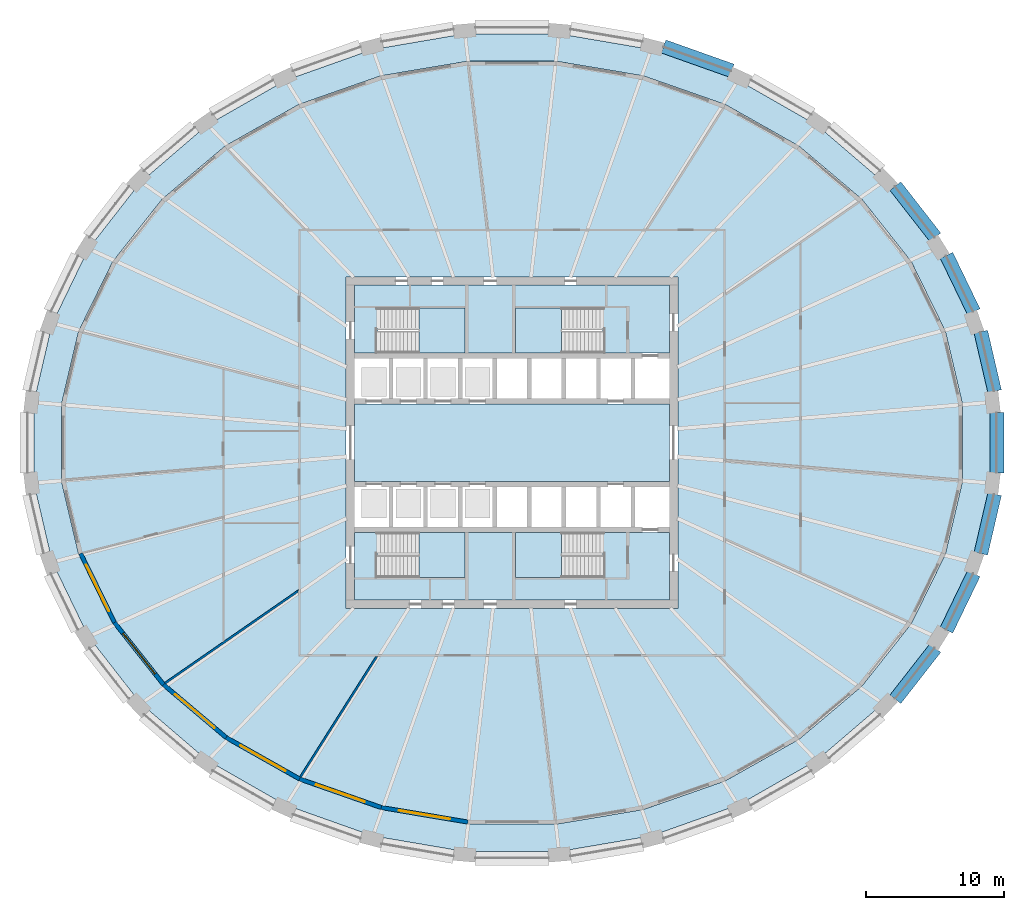
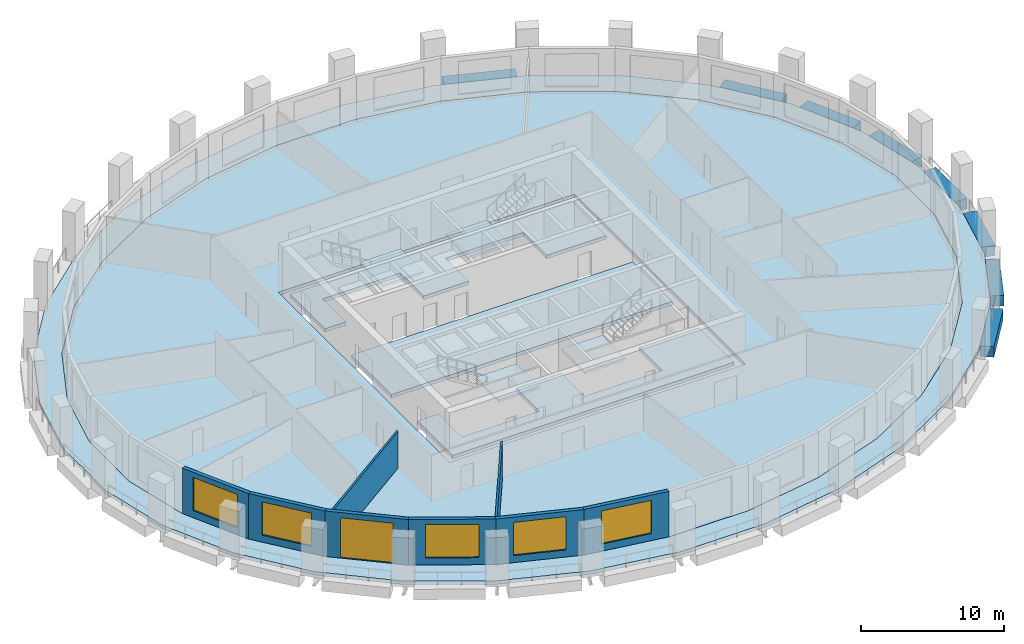
# One storey, part 2 of 10: 9 slabs, 8 beams, 8 walls, 5 windows, 1 door, 6 openings, 4 elements without a shape of their own.
"""IFC4 building model written with IfcOpenShell, lengths in metres."""

from ifc_helpers import new_model, si_unit, direction, frame, frame_2d, origin, origin_2d, place, context, subcontext, project, spatial, polyline, rectangle, outline, extrude, material, layer, layer_set, material_profile, profile_set, type_object, element, fill, aggregate, save


model = new_model("IFC4")

# Units and contexts
model_context = context("Model", 3, precision=1e-05, world=origin(), true_north=direction((0.0, 1.0)))
body_context = subcontext(model_context, "Body", "Model", "MODEL_VIEW")
ifc_project = project(units=[si_unit("LENGTHUNIT", "METRE"), si_unit("AREAUNIT", "SQUARE_METRE"), si_unit("VOLUMEUNIT", "CUBIC_METRE"), si_unit("PLANEANGLEUNIT", "RADIAN"), si_unit("MASSUNIT", "GRAM", prefix="KILO")], contexts=[model_context])

# Site, building, storey
site_placement = place(None, origin())
site = spatial("IfcSite", under=ifc_project, at=site_placement, CompositionType="ELEMENT")
building_placement = place(site_placement, origin())
building = spatial("IfcBuilding", under=site, at=building_placement, Name="Halqa Exchange Tower", CompositionType="ELEMENT")
storey_placement = place(building_placement, frame((0.0, 0.0, 112.89990234375)))
storey = spatial("IfcBuildingStorey", under=building, at=storey_placement, Name="L25", CompositionType="ELEMENT", Elevation=112.89990234375)

# Beams
ifc_material_1 = material(Name="Concrete C60/75", Category="concrete")
ifc_material_profile = material_profile(ifc_material_1, rectangle(XDim=1.0, YDim=0.89990234375, at=origin_2d()), Name="1000 x 900")
ifc_profile_set = profile_set([ifc_material_profile], Name="Concrete C60/75")
beam_type = type_object("IfcBeamType", Name="RC spandrel beam 1000 x 900 C60/75", PredefinedType="SPANDREL", material=ifc_profile_set)
beam_1_placement = place(storey_placement, frame((34.94384765625, 3.7216796875, -0.449951171875), z_axis=(-0.226062276551, 0.974112851327, 0.0), x_axis=(-0.974112851327, -0.226062276551, 0.0)))
element("IfcBeam", 1, at=beam_1_placement, inside=storey, type_object=beam_type, Name="Spandrel 1", PredefinedType="SPANDREL", context=body_context, shape_type="SweptSolid", body=[
    extrude(rectangle(XDim=1.0, YDim=0.89990234375, at=origin_2d()), origin(), (0.0, 0.0, 1.0), 4.4169921875),
])
beam_2_placement = place(storey_placement, frame((33.431640625, 9.480712890625, -0.449951171875), z_axis=(-0.435101676996, 0.900381325148, 0.0), x_axis=(-0.900381325148, -0.435101676996, 0.0)))
element("IfcBeam", 2, at=beam_2_placement, inside=storey, type_object=beam_type, Name="Spandrel 2", PredefinedType="SPANDREL", context=body_context, shape_type="SweptSolid", body=[
    extrude(rectangle(XDim=1.0, YDim=0.89990234375, at=origin_2d()), origin(), (0.0, 0.0, 1.0), 4.530517578125),
])
beam_3_placement = place(storey_placement, frame((30.64599609375, 14.870361328125, -0.449951171875), z_axis=(-0.614814102192, 0.788672060965, 0.0), x_axis=(-0.788672060965, -0.614814102192, 0.0)))
element("IfcBeam", 3, at=beam_3_placement, inside=storey, type_object=beam_type, Name="Spandrel 3", PredefinedType="SPANDREL", context=body_context, shape_type="SweptSolid", body=[
    extrude(rectangle(XDim=1.0, YDim=0.89990234375, at=origin_2d()), origin(), (0.0, 0.0, 1.0), 4.699951171875),
])
beam_4_placement = place(storey_placement, frame((15.905517578125, 26.935546875, -0.449951171875), z_axis=(-0.94236843099, 0.334576957177, 0.0), x_axis=(-0.334576957177, -0.94236843099, 0.0)))
element("IfcBeam", 4, at=beam_4_placement, inside=storey, type_object=beam_type, Name="Spandrel 6", PredefinedType="SPANDREL", context=body_context, shape_type="SweptSolid", body=[
    extrude(rectangle(XDim=1.0, YDim=0.89990234375, at=origin_2d()), origin(), (0.0, 0.0, 1.0), 5.23193359375),
])
beam_5_placement = place(storey_placement, frame((27.75634765625, -18.5771484375, -0.449951171875), z_axis=(0.614814102192, 0.788672060965, 0.0), x_axis=(-0.788672060965, 0.614814102192, 0.0)))
element("IfcBeam", 5, at=beam_5_placement, inside=storey, type_object=beam_type, Name="Spandrel 29", PredefinedType="SPANDREL", context=body_context, shape_type="SweptSolid", body=[
    extrude(rectangle(XDim=1.0, YDim=0.89990234375, at=origin_2d()), origin(), (0.0, 0.0, 1.0), 4.699951171875),
])
beam_6_placement = place(storey_placement, frame((31.46044921875, -13.559814453125, -0.449951171875), z_axis=(0.435101676996, 0.900381325148, 0.0), x_axis=(-0.900381325148, 0.435101676996, 0.0)))
element("IfcBeam", 6, at=beam_6_placement, inside=storey, type_object=beam_type, Name="Spandrel 30", PredefinedType="SPANDREL", context=body_context, shape_type="SweptSolid", body=[
    extrude(rectangle(XDim=1.0, YDim=0.89990234375, at=origin_2d()), origin(), (0.0, 0.0, 1.0), 4.530517578125),
])
beam_7_placement = place(storey_placement, frame((33.9453125, -8.0244140625, -0.449951171875), z_axis=(0.226062276551, 0.974112851327, 0.0), x_axis=(-0.974112851327, 0.226062276551, 0.0)))
element("IfcBeam", 7, at=beam_7_placement, inside=storey, type_object=beam_type, Name="Spandrel 31", PredefinedType="SPANDREL", context=body_context, shape_type="SweptSolid", body=[
    extrude(rectangle(XDim=1.0, YDim=0.89990234375, at=origin_2d()), origin(), (0.0, 0.0, 1.0), 4.4169921875),
])
beam_8_placement = place(storey_placement, frame((35.11962890625, -2.1875, -0.449951171875), z_axis=(0.0, 1.0, 0.0), x_axis=(-1.0, 0.0, 0.0)))
element("IfcBeam", 8, at=beam_8_placement, inside=storey, type_object=beam_type, Name="Spandrel 32", PredefinedType="SPANDREL", context=body_context, shape_type="SweptSolid", body=[
    extrude(rectangle(XDim=1.0, YDim=0.89990234375, at=origin_2d()), origin(), (0.0, 0.0, 1.0), 4.375),
])

# Slabs
ifc_layer_1 = layer(ifc_material_1, 0.300048828125)
ifc_layer_set_1 = layer_set([ifc_layer_1], Name="Concrete C60/75")
slab_type_1 = type_object("IfcSlabType", Name="Core floor slab 300", PredefinedType="FLOOR", material=ifc_layer_set_1)
slab_1_placement = place(storey_placement, frame((0.0, 0.0, -0.2998046875)))
element("IfcSlab", 9, at=slab_1_placement, inside=storey, type_object=slab_type_1, Name="Core floor slab", PredefinedType="FLOOR", context=body_context, shape_type="SweptSolid", body=[
    extrude(outline(polyline([(-11.39990234375, 2.800048828125), (11.39990234375, 2.800048828125), (11.39990234375, -2.800048828125), (-11.39990234375, -2.800048828125), (-11.39990234375, 2.800048828125)])), origin(), (0.0, 0.0, 1.0), 0.2998046875),
])
slab_2_placement = place(storey_placement, frame((0.0, 0.0, -0.2998046875)))
element("IfcSlab", 10, at=slab_2_placement, inside=storey, type_object=slab_type_1, Name="Core floor slab", PredefinedType="FLOOR", context=body_context, shape_type="SweptSolid", body=[
    extrude(outline(polyline([(-11.39990234375, 11.39990234375), (11.39990234375, 11.39990234375), (11.39990234375, 6.5), (6.550048828125, 6.5), (6.550048828125, 9.75), (0.25, 9.75), (0.25, 6.5), (-3.39990234375, 6.5), (-3.39990234375, 9.75), (-9.699951171875, 9.75), (-9.699951171875, 6.5), (-11.39990234375, 6.5), (-11.39990234375, 11.39990234375)])), origin(), (0.0, 0.0, 1.0), 0.2998046875),
])
slab_3_placement = place(storey_placement, frame((0.0, 0.0, -0.2998046875)))
element("IfcSlab", 11, at=slab_3_placement, inside=storey, type_object=slab_type_1, Name="Core floor slab", PredefinedType="FLOOR", context=body_context, shape_type="SweptSolid", body=[
    extrude(outline(polyline([(-9.699951171875, -9.75), (-3.39990234375, -9.75), (-3.39990234375, -6.5), (0.25, -6.5), (0.25, -9.75), (6.550048828125, -9.75), (6.550048828125, -6.5), (11.39990234375, -6.5), (11.39990234375, -11.39990234375), (-11.39990234375, -11.39990234375), (-11.39990234375, -6.5), (-9.699951171875, -6.5), (-9.699951171875, -9.75)])), origin(), (0.0, 0.0, 1.0), 0.2998046875),
])
ifc_material_2 = material(Name="Concrete C40/50", Category="concrete")
ifc_layer_2 = layer(ifc_material_2, 0.300048828125)
ifc_layer_set_2 = layer_set([ifc_layer_2], Name="Concrete C40/50")
slab_type_2 = type_object("IfcSlabType", Name="RC floor slab 300", PredefinedType="FLOOR", material=ifc_layer_set_2)
slab_4_placement = place(storey_placement, frame((0.0, 0.0, -0.2998046875)))
element("IfcSlab", 12, at=slab_4_placement, inside=storey, type_object=slab_type_2, Name="Floor slab", PredefinedType="FLOOR", context=body_context, shape_type="SweptSolid", body=[
    extrude(outline(polyline([(32.633056640625, 2.72509765625), (31.374755859375, 8.069580078125), (28.908447265625, 13.099853515625), (25.331298828125, 17.62255859375), (20.783203125, 21.465087890625), (15.439697265625, 24.4814453125), (9.506103515625, 26.557861328125), (3.20947265625, 27.615966796875), (-3.20947265625, 27.615966796875), (-9.506103515625, 26.557861328125), (-15.439697265625, 24.4814453125), (-20.783203125, 21.465087890625), (-25.331298828125, 17.62255859375), (-28.908447265625, 13.099853515625), (-31.374755859375, 8.069580078125), (-32.633056640625, 2.72509765625), (-32.633056640625, -2.72509765625), (-31.374755859375, -8.069580078125), (-28.908447265625, -13.099853515625), (-25.331298828125, -17.62255859375), (-20.783203125, -21.465087890625), (-15.439697265625, -24.4814453125), (-9.506103515625, -26.557861328125), (-3.20947265625, -27.615966796875), (3.20947265625, -27.615966796875), (9.506103515625, -26.557861328125), (15.439697265625, -24.4814453125), (20.783203125, -21.465087890625), (25.331298828125, -17.62255859375), (28.908447265625, -13.099853515625), (31.374755859375, -8.069580078125), (32.633056640625, -2.72509765625), (32.633056640625, 2.72509765625)]), holes=[polyline([(-12.0, -12.0), (12.0, -12.0), (12.0, 12.0), (-12.0, 12.0), (-12.0, -12.0)])]), origin(), (0.0, 0.0, 1.0), 0.2998046875),
])
ifc_layer_3 = layer(ifc_material_2, 0.300048828125)
ifc_layer_set_3 = layer_set([ifc_layer_3], Name="Concrete C40/50")
slab_type_3 = type_object("IfcSlabType", Name="RC loggia slab 300", PredefinedType="FLOOR", material=ifc_layer_set_3)
slab_5_placement = place(storey_placement, frame((0.0, 0.0, -0.2998046875)))
element("IfcSlab", 13, at=slab_5_placement, inside=storey, type_object=slab_type_3, Name="Loggia slab", PredefinedType="FLOOR", context=body_context, shape_type="SweptSolid", body=[
    extrude(outline(polyline([(34.61962890625, 2.907470703125), (34.61962890625, -2.907470703125), (33.29541015625, -8.61328125), (30.695556640625, -13.993408203125), (26.915771484375, -18.84228515625), (22.097900390625, -22.9716796875), (16.42578125, -26.22021484375), (10.117431640625, -28.4599609375), (3.416748046875, -29.602294921875), (-3.416748046875, -29.602294921875), (-10.117431640625, -28.4599609375), (-16.42578125, -26.22021484375), (-22.097900390625, -22.9716796875), (-26.915771484375, -18.84228515625), (-30.695556640625, -13.993408203125), (-33.29541015625, -8.61328125), (-34.61962890625, -2.907470703125), (-34.61962890625, 2.907470703125), (-33.29541015625, 8.61328125), (-30.695556640625, 13.993408203125), (-26.915771484375, 18.84228515625), (-22.097900390625, 22.9716796875), (-16.42578125, 26.22021484375), (-10.117431640625, 28.4599609375), (-3.416748046875, 29.602294921875), (3.416748046875, 29.602294921875), (10.117431640625, 28.4599609375), (16.42578125, 26.22021484375), (22.097900390625, 22.9716796875), (26.915771484375, 18.84228515625), (30.695556640625, 13.993408203125), (33.29541015625, 8.61328125), (34.61962890625, 2.907470703125)]), holes=[polyline([(32.633056640625, 2.72509765625), (31.374755859375, 8.069580078125), (28.908447265625, 13.099853515625), (25.331298828125, 17.62255859375), (20.783203125, 21.465087890625), (15.439697265625, 24.4814453125), (9.506103515625, 26.557861328125), (3.20947265625, 27.615966796875), (-3.20947265625, 27.615966796875), (-9.506103515625, 26.557861328125), (-15.439697265625, 24.4814453125), (-20.783203125, 21.465087890625), (-25.331298828125, 17.62255859375), (-28.908447265625, 13.099853515625), (-31.374755859375, 8.069580078125), (-32.633056640625, 2.72509765625), (-32.633056640625, -2.72509765625), (-31.374755859375, -8.069580078125), (-28.908447265625, -13.099853515625), (-25.331298828125, -17.62255859375), (-20.783203125, -21.465087890625), (-15.439697265625, -24.4814453125), (-9.506103515625, -26.557861328125), (-3.20947265625, -27.615966796875), (3.20947265625, -27.615966796875), (9.506103515625, -26.557861328125), (15.439697265625, -24.4814453125), (20.783203125, -21.465087890625), (25.331298828125, -17.62255859375), (28.908447265625, -13.099853515625), (31.374755859375, -8.069580078125), (32.633056640625, -2.72509765625), (32.633056640625, 2.72509765625)])]), origin(), (0.0, 0.0, 1.0), 0.2998046875),
])

# Stair, slab
ifc_material_3 = material(Name="Concrete C30/37", Category="concrete")
stair_type = type_object("IfcStairType", Name="Exit stair 1500 wide", PredefinedType="HALF_TURN_STAIR", material=ifc_material_3)
stair_1_placement = place(storey_placement, origin())
stair_1 = element("IfcStair", 14, at=stair_1_placement, inside=storey, type_object=stair_type, Name="Exit stair ST1", PredefinedType="HALF_TURN_STAIR")
ifc_layer_4 = layer(ifc_material_3, 0.199951171875)
ifc_layer_set_4 = layer_set([ifc_layer_4], Name="Concrete C30/37")
slab_type_4 = type_object("IfcSlabType", Name="Stair landing 200 slab", PredefinedType="LANDING", material=ifc_layer_set_4)
slab_6_placement = place(storey_placement, frame((0.0, 0.0, 1.900146484375)))
slab_6 = element("IfcSlab", 15, at=slab_6_placement, type_object=slab_type_4, Name="ST1 landing 1", PredefinedType="LANDING", context=body_context, shape_type="SweptSolid", body=[
    extrude(outline(polyline([(-6.719970703125, 6.5), (-3.39990234375, 6.5), (-3.39990234375, 9.75), (-6.719970703125, 9.75), (-6.719970703125, 6.5)])), origin(), (0.0, 0.0, 1.0), 0.199951171875),
])
aggregate(stair_1, [slab_6])

stair_2_placement = place(storey_placement, origin())
stair_2 = element("IfcStair", 16, at=stair_2_placement, inside=storey, type_object=stair_type, Name="Exit stair ST2", PredefinedType="HALF_TURN_STAIR")
slab_7_placement = place(storey_placement, frame((0.0, 0.0, 1.900146484375)))
slab_7 = element("IfcSlab", 17, at=slab_7_placement, type_object=slab_type_4, Name="ST2 landing 1", PredefinedType="LANDING", context=body_context, shape_type="SweptSolid", body=[
    extrude(outline(polyline([(0.25, 6.5), (3.570068359375, 6.5), (3.570068359375, 9.75), (0.25, 9.75), (0.25, 6.5)])), origin(), (0.0, 0.0, 1.0), 0.199951171875),
])
aggregate(stair_2, [slab_7])

stair_3_placement = place(storey_placement, origin())
stair_3 = element("IfcStair", 18, at=stair_3_placement, inside=storey, type_object=stair_type, Name="Exit stair ST3", PredefinedType="HALF_TURN_STAIR")
slab_8_placement = place(storey_placement, frame((0.0, 0.0, 1.900146484375)))
slab_8 = element("IfcSlab", 19, at=slab_8_placement, type_object=slab_type_4, Name="ST3 landing 1", PredefinedType="LANDING", context=body_context, shape_type="SweptSolid", body=[
    extrude(outline(polyline([(-6.719970703125, -9.75), (-3.39990234375, -9.75), (-3.39990234375, -6.5), (-6.719970703125, -6.5), (-6.719970703125, -9.75)])), origin(), (0.0, 0.0, 1.0), 0.199951171875),
])
aggregate(stair_3, [slab_8])

stair_4_placement = place(storey_placement, origin())
stair_4 = element("IfcStair", 20, at=stair_4_placement, inside=storey, type_object=stair_type, Name="Exit stair ST4", PredefinedType="HALF_TURN_STAIR")
slab_9_placement = place(storey_placement, frame((0.0, 0.0, 1.900146484375)))
slab_9 = element("IfcSlab", 21, at=slab_9_placement, type_object=slab_type_4, Name="ST4 landing 1", PredefinedType="LANDING", context=body_context, shape_type="SweptSolid", body=[
    extrude(outline(polyline([(0.25, -9.75), (3.570068359375, -9.75), (3.570068359375, -6.5), (0.25, -6.5), (0.25, -9.75)])), origin(), (0.0, 0.0, 1.0), 0.199951171875),
])
aggregate(stair_4, [slab_9])

# Walls
ifc_material_4 = material(Name="Fire-rated gypsum board")
ifc_layer_5 = layer(ifc_material_4, 0.14990234375)
ifc_layer_set_5 = layer_set([ifc_layer_5], Name="Fire-rated gypsum board")
wall_type_1 = type_object("IfcWallType", Name="Fire partition EI 60 150", PredefinedType="PARTITIONING", material=ifc_layer_set_5)
wall_1_placement = place(storey_placement, frame((-25.119873046875, -17.41357421875, 0.0), z_axis=(0.0, 0.0, 1.0), x_axis=(0.822008683907, 0.569474954306, 0.0)))
element("IfcWall", 22, at=wall_1_placement, inside=storey, type_object=wall_type_1, Name="L25-PWL-002", PredefinedType="PARTITIONING", context=body_context, shape_type="SweptSolid", body=[
    extrude(outline(polyline([(0.024169921875, -0.074951171875), (1.967041015625, -0.074951171875), (3.909912109375, -0.074951171875), (5.852783203125, -0.074951171875), (7.795654296875, -0.074951171875), (9.738525390625, -0.074951171875), (11.681396484375, -0.074951171875), (11.734375, 0.001708984375), (11.734375, 0.001708984375), (11.784912109375, 0.074462890625), (11.784912109375, 0.074951171875), (10.150390625, 0.074951171875), (8.515625, 0.074951171875), (6.881103515625, 0.074951171875), (5.246337890625, 0.074951171875), (5.24462890625, 0.072265625), (5.24072265625, 0.074951171875), (3.493896484375, 0.074951171875), (1.746826171875, 0.074951171875), (0.0, 0.074951171875), (0.0, 0.070068359375), (0.004638671875, -0.00244140625), (0.024169921875, -0.074951171875)])), origin(), (0.0, 0.0, 1.0), 3.147216796875),
])
wall_2_placement = place(storey_placement, frame((-9.76220703125, -15.43505859375, 0.0), z_axis=(0.0, 0.0, 1.0), x_axis=(-0.535189090909, -0.844732287161, 0.0)))
element("IfcWall", 23, at=wall_2_placement, inside=storey, type_object=wall_type_1, Name="L25-PWL-012", PredefinedType="PARTITIONING", context=body_context, shape_type="SweptSolid", body=[
    extrude(outline(polyline([(10.3857421875, -0.074951171875), (10.3857421875, -0.0693359375), (10.382080078125, 0.003662109375), (10.365478515625, 0.074951171875), (8.637939453125, 0.074951171875), (6.910400390625, 0.074951171875), (5.182861328125, 0.074951171875), (3.455078125, 0.074951171875), (1.7275390625, 0.074951171875), (0.0, 0.074951171875), (0.0, 0.07470703125), (0.0947265625, -0.074951171875), (1.809814453125, -0.074951171875), (3.525146484375, -0.074951171875), (5.240234375, -0.074951171875), (6.955322265625, -0.074951171875), (8.670654296875, -0.074951171875), (10.3857421875, -0.074951171875)])), origin(), (0.0, 0.0, 1.0), 3.147216796875),
])

# Wall, opening, window
ifc_material_5 = material(Name="Limestone cladding", Category="masonry")
ifc_layer_6 = layer(ifc_material_5, 0.0400390625)
ifc_material_6 = material(Name="Ventilated cavity")
ifc_layer_7 = layer(ifc_material_6, 0.030029296875, ventilated=True)
ifc_material_7 = material(Name="Mineral wool insulation")
ifc_layer_8 = layer(ifc_material_7, 0.10009765625)
ifc_layer_9 = layer(ifc_material_3, 0.10009765625)
ifc_material_8 = material(Name="Internal plaster")
ifc_layer_10 = layer(ifc_material_8, 0.030029296875)
ifc_layer_set_6 = layer_set([ifc_layer_6, ifc_layer_7, ifc_layer_8, ifc_layer_9, ifc_layer_10], Name="Stone-faced insulated wall 300")
wall_type_2 = type_object("IfcWallType", Name="Stone-faced insulated wall 300", PredefinedType="STANDARD", material=ifc_layer_set_6)
wall_3_placement = place(storey_placement, frame((-31.232666015625, -8.0185546875, 0.0), z_axis=(0.0, 0.0, 1.0), x_axis=(0.440238988749, -0.897880633929, 0.0)))
wall_3 = element("IfcWall", 24, at=wall_3_placement, inside=storey, type_object=wall_type_2, Name="Glass-line wall 18", PredefinedType="STANDARD", context=body_context, shape_type="SweptSolid", body=[
    extrude(outline(polyline([(-0.016845703125, -0.14990234375), (5.585693359375, -0.14990234375), (5.553466796875, 0.14990234375), (0.016845703125, 0.14990234375), (-0.016845703125, -0.14990234375)])), origin(), (0.0, 0.0, 1.0), 3.900146484375),
])
opening_1_placement = place(wall_3_placement, frame((0.90966796875, 0.0, 0.60009765625)))
opening_1 = element("IfcOpeningElement", 25, at=opening_1_placement, cuts=wall_3, Name="Opening W-F2-18", PredefinedType="OPENING", context=body_context, shape_type="SweptSolid", body=[
    extrude(rectangle(XDim=3.75, YDim=2.85009765625, at=frame_2d((1.875, 1.425048828125))), frame((0.0, 0.162109375, 0.0), z_axis=(0.0, -1.0, 0.0), x_axis=(1.0, 0.0, 0.0)), (0.0, 0.0, 1.0), 0.323974609375),
])
ifc_material_9 = material(Name="Clear low-emissivity glass in aluminium frame", Category="aluminium")
window_type = type_object("IfcWindowType", Name="Fixed clear glazed window 3750 x 2850", PartitioningType="TRIPLE_PANEL_VERTICAL", PredefinedType="WINDOW", material=ifc_material_9)
window_1_placement = place(opening_1_placement, origin())
window_1 = element("IfcWindow", 26, at=window_1_placement, inside=storey, type_object=window_type, Name="Window 2", OverallHeight=2.85009765625, OverallWidth=3.75, PartitioningType="TRIPLE_PANEL_VERTICAL", PredefinedType="WINDOW", context=body_context, shape_type="SweptSolid", body=[
    extrude(rectangle(XDim=3.75, YDim=2.85009765625, at=frame_2d((1.875, 1.425048828125))), frame((0.0, 0.030029296875, 0.0), z_axis=(0.0, -1.0, 0.0), x_axis=(1.0, 0.0, 0.0)), (0.0, 0.0, 1.0), 0.06005859375),
])
fill(opening_1, window_1)

wall_4_placement = place(storey_placement, frame((-28.78076171875, -13.019287109375, 0.0), z_axis=(0.0, 0.0, 1.0), x_axis=(0.620329992039, -0.784340934146, 0.0)))
wall_4 = element("IfcWall", 27, at=wall_4_placement, inside=storey, type_object=wall_type_2, Name="Glass-line wall 19", PredefinedType="STANDARD", context=body_context, shape_type="SweptSolid", body=[
    extrude(outline(polyline([(-0.01611328125, -0.14990234375), (5.75048828125, -0.14990234375), (5.72021484375, 0.14990234375), (0.01611328125, 0.14990234375), (-0.01611328125, -0.14990234375)])), origin(), (0.0, 0.0, 1.0), 3.900146484375),
])
opening_2_placement = place(wall_4_placement, frame((0.99267578125, 0.0, 0.60009765625)))
opening_2 = element("IfcOpeningElement", 28, at=opening_2_placement, cuts=wall_4, Name="Opening W-F2-19", PredefinedType="OPENING", context=body_context, shape_type="SweptSolid", body=[
    extrude(rectangle(XDim=3.75, YDim=2.85009765625, at=frame_2d((1.875, 1.425048828125))), frame((0.0, 0.162109375, 0.0), z_axis=(0.0, -1.0, 0.0), x_axis=(1.0, 0.0, 0.0)), (0.0, 0.0, 1.0), 0.323974609375),
])
window_2_placement = place(opening_2_placement, origin())
window_2 = element("IfcWindow", 29, at=window_2_placement, inside=storey, type_object=window_type, Name="Window 2", OverallHeight=2.85009765625, OverallWidth=3.75, PartitioningType="TRIPLE_PANEL_VERTICAL", PredefinedType="WINDOW", context=body_context, shape_type="SweptSolid", body=[
    extrude(rectangle(XDim=3.75, YDim=2.85009765625, at=frame_2d((1.875, 1.425048828125))), frame((0.0, 0.030029296875, 0.0), z_axis=(0.0, -1.0, 0.0), x_axis=(1.0, 0.0, 0.0)), (0.0, 0.0, 1.0), 0.06005859375),
])
fill(opening_2, window_2)

# Wall, opening, door
wall_5_placement = place(storey_placement, frame((-25.222900390625, -17.517822265625, 0.0), z_axis=(0.0, 0.0, 1.0), x_axis=(0.763894031266, -0.645341699409, 0.0)))
wall_5 = element("IfcWall", 30, at=wall_5_placement, inside=storey, type_object=wall_type_2, Name="Glass-line wall 20", PredefinedType="STANDARD", context=body_context, shape_type="SweptSolid", body=[
    extrude(outline(polyline([(-0.01513671875, -0.14990234375), (5.93896484375, -0.14990234375), (5.91064453125, 0.14990234375), (0.01513671875, 0.14990234375), (-0.01513671875, -0.14990234375)])), origin(), (0.0, 0.0, 1.0), 3.900146484375),
])
opening_3_placement = place(wall_5_placement, frame((1.08740234375, 0.0, 0.0)))
opening_3 = element("IfcOpeningElement", 31, at=opening_3_placement, cuts=wall_5, Name="Opening LG-F2-05", PredefinedType="OPENING", context=body_context, shape_type="SweptSolid", body=[
    extrude(rectangle(XDim=3.75, YDim=3.449951171875, at=frame_2d((1.875, 1.72509765625))), frame((0.0, 0.162109375, 0.0), z_axis=(0.0, -1.0, 0.0), x_axis=(1.0, 0.0, 0.0)), (0.0, 0.0, 1.0), 0.323974609375),
])
door_type = type_object("IfcDoorType", Name="Glazed sliding loggia door 3750 x 3450", OperationType="DOUBLE_DOOR_SLIDING", PredefinedType="DOOR", material=ifc_material_9)
door_placement = place(opening_3_placement, origin())
door = element("IfcDoor", 32, at=door_placement, inside=storey, type_object=door_type, Name="Loggia door 5", OperationType="DOUBLE_DOOR_SLIDING", OverallHeight=3.449951171875, OverallWidth=3.75, PredefinedType="DOOR", context=body_context, shape_type="SweptSolid", body=[
    extrude(rectangle(XDim=3.75, YDim=3.449951171875, at=frame_2d((1.875, 1.72509765625))), frame((0.0, 0.02490234375, 0.0), z_axis=(0.0, -1.0, 0.0), x_axis=(1.0, 0.0, 0.0)), (0.0, 0.0, 1.0), 0.050048828125),
])
fill(opening_3, door)

# Wall, opening, window
wall_6_placement = place(storey_placement, frame((-20.697021484375, -21.34130859375, 0.0), z_axis=(0.0, 0.0, 1.0), x_axis=(0.870828448417, -0.491587035455, 0.0)))
wall_6 = element("IfcWall", 33, at=wall_6_placement, inside=storey, type_object=wall_type_2, Name="Glass-line wall 21", PredefinedType="STANDARD", context=body_context, shape_type="SweptSolid", body=[
    extrude(outline(polyline([(-0.01416015625, -0.14990234375), (6.1220703125, -0.14990234375), (6.09521484375, 0.14990234375), (0.01416015625, 0.14990234375), (-0.01416015625, -0.14990234375)])), origin(), (0.0, 0.0, 1.0), 3.900146484375),
])
opening_4_placement = place(wall_6_placement, frame((1.17919921875, 0.0, 0.60009765625)))
opening_4 = element("IfcOpeningElement", 34, at=opening_4_placement, cuts=wall_6, Name="Opening W-F2-21", PredefinedType="OPENING", context=body_context, shape_type="SweptSolid", body=[
    extrude(rectangle(XDim=3.75, YDim=2.85009765625, at=frame_2d((1.875, 1.425048828125))), frame((0.0, 0.162109375, 0.0), z_axis=(0.0, -1.0, 0.0), x_axis=(1.0, 0.0, 0.0)), (0.0, 0.0, 1.0), 0.323974609375),
])
window_3_placement = place(opening_4_placement, origin())
window_3 = element("IfcWindow", 35, at=window_3_placement, inside=storey, type_object=window_type, Name="Window 2", OverallHeight=2.85009765625, OverallWidth=3.75, PartitioningType="TRIPLE_PANEL_VERTICAL", PredefinedType="WINDOW", context=body_context, shape_type="SweptSolid", body=[
    extrude(rectangle(XDim=3.75, YDim=2.85009765625, at=frame_2d((1.875, 1.425048828125))), frame((0.0, 0.030029296875, 0.0), z_axis=(0.0, -1.0, 0.0), x_axis=(1.0, 0.0, 0.0)), (0.0, 0.0, 1.0), 0.06005859375),
])
fill(opening_4, window_3)

wall_7_placement = place(storey_placement, frame((-15.37744140625, -24.34423828125, 0.0), z_axis=(0.0, 0.0, 1.0), x_axis=(0.943866868202, -0.330326104193, 0.0)))
wall_7 = element("IfcWall", 36, at=wall_7_placement, inside=storey, type_object=wall_type_2, Name="Glass-line wall 22", PredefinedType="STANDARD", context=body_context, shape_type="SweptSolid", body=[
    extrude(outline(polyline([(-0.013427734375, -0.14990234375), (6.272705078125, -0.14990234375), (6.247314453125, 0.14990234375), (0.013427734375, 0.14990234375), (-0.013427734375, -0.14990234375)])), origin(), (0.0, 0.0, 1.0), 3.900146484375),
])
opening_5_placement = place(wall_7_placement, frame((1.255126953125, 0.0, 0.60009765625)))
opening_5 = element("IfcOpeningElement", 37, at=opening_5_placement, cuts=wall_7, Name="Opening W-F2-22", PredefinedType="OPENING", context=body_context, shape_type="SweptSolid", body=[
    extrude(rectangle(XDim=3.75, YDim=2.85009765625, at=frame_2d((1.875, 1.425048828125))), frame((0.0, 0.162109375, 0.0), z_axis=(0.0, -1.0, 0.0), x_axis=(1.0, 0.0, 0.0)), (0.0, 0.0, 1.0), 0.323974609375),
])
window_4_placement = place(opening_5_placement, origin())
window_4 = element("IfcWindow", 38, at=window_4_placement, inside=storey, type_object=window_type, Name="Window 2", OverallHeight=2.85009765625, OverallWidth=3.75, PartitioningType="TRIPLE_PANEL_VERTICAL", PredefinedType="WINDOW", context=body_context, shape_type="SweptSolid", body=[
    extrude(rectangle(XDim=3.75, YDim=2.85009765625, at=frame_2d((1.875, 1.425048828125))), frame((0.0, 0.030029296875, 0.0), z_axis=(0.0, -1.0, 0.0), x_axis=(1.0, 0.0, 0.0)), (0.0, 0.0, 1.0), 0.06005859375),
])
fill(opening_5, window_4)

wall_8_placement = place(storey_placement, frame((-9.46875, -26.412109375, 0.0), z_axis=(0.0, 0.0, 1.0), x_axis=(0.986178310488, -0.165687476666, 0.0)))
wall_8 = element("IfcWall", 39, at=wall_8_placement, inside=storey, type_object=wall_type_2, Name="Glass-line wall 23", PredefinedType="STANDARD", context=body_context, shape_type="SweptSolid", body=[
    extrude(outline(polyline([(-0.0126953125, -0.14990234375), (6.3720703125, -0.14990234375), (6.34716796875, 0.14990234375), (0.0126953125, 0.14990234375), (-0.0126953125, -0.14990234375)])), origin(), (0.0, 0.0, 1.0), 3.900146484375),
])
opening_6_placement = place(wall_8_placement, frame((1.3046875, 0.0, 0.60009765625)))
opening_6 = element("IfcOpeningElement", 40, at=opening_6_placement, cuts=wall_8, Name="Opening W-F2-23", PredefinedType="OPENING", context=body_context, shape_type="SweptSolid", body=[
    extrude(rectangle(XDim=3.75, YDim=2.85009765625, at=frame_2d((1.875, 1.425048828125))), frame((0.0, 0.162109375, 0.0), z_axis=(0.0, -1.0, 0.0), x_axis=(1.0, 0.0, 0.0)), (0.0, 0.0, 1.0), 0.323974609375),
])
window_5_placement = place(opening_6_placement, origin())
window_5 = element("IfcWindow", 41, at=window_5_placement, inside=storey, type_object=window_type, Name="Window 2", OverallHeight=2.85009765625, OverallWidth=3.75, PartitioningType="TRIPLE_PANEL_VERTICAL", PredefinedType="WINDOW", context=body_context, shape_type="SweptSolid", body=[
    extrude(rectangle(XDim=3.75, YDim=2.85009765625, at=frame_2d((1.875, 1.425048828125))), frame((0.0, 0.030029296875, 0.0), z_axis=(0.0, -1.0, 0.0), x_axis=(1.0, 0.0, 0.0)), (0.0, 0.0, 1.0), 0.06005859375),
])
fill(opening_6, window_5)

save(model, "model.ifc")
